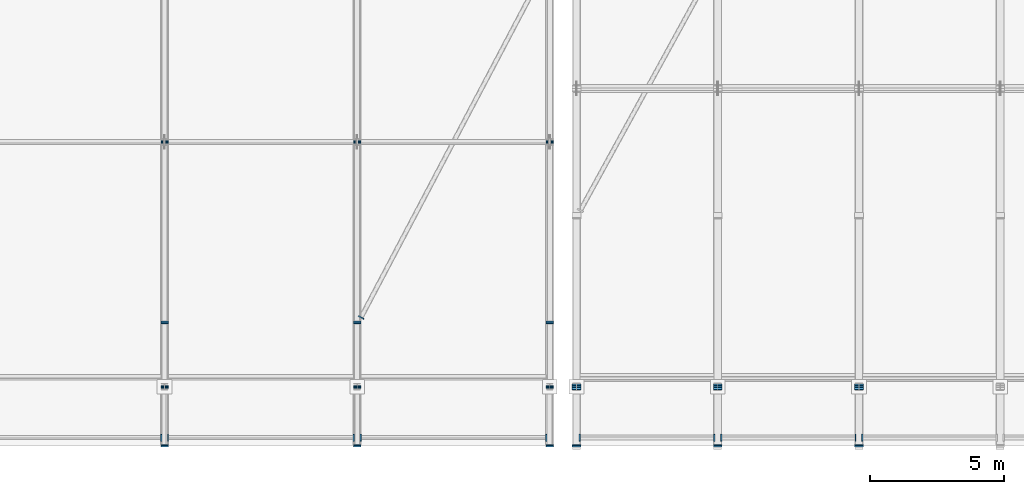
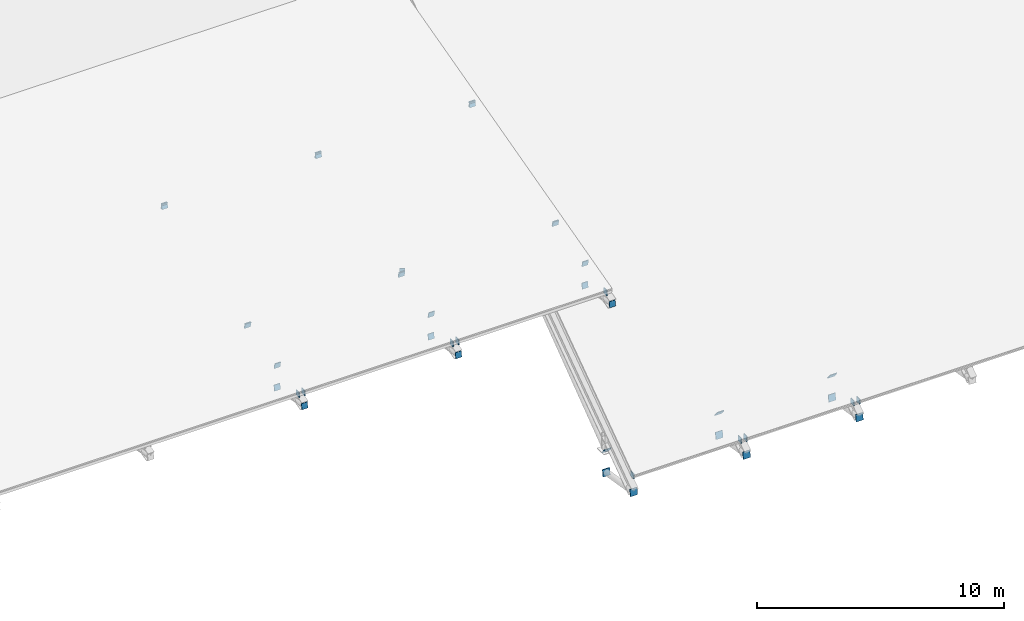
# One storey, part 45 of 57: 41 discrete accessories.
"""IFC4 building model written with IfcOpenShell, lengths in metres."""

from ifc_helpers import new_model, si_unit, direction, frame, origin, origin_2d, place, context, subcontext, project, spatial, rectangle, extrude, material, material_profile, profile_set, type_object, element, save


model = new_model("IFC4")

# Units and contexts
model_context = context("Model", 3, precision=1e-05, world=origin(), true_north=direction((0.0, 1.0)))
body_context = subcontext(model_context, "Body", "Model", "MODEL_VIEW")
ifc_project = project(units=[si_unit("LENGTHUNIT", "METRE"), si_unit("AREAUNIT", "SQUARE_METRE"), si_unit("VOLUMEUNIT", "CUBIC_METRE"), si_unit("PLANEANGLEUNIT", "RADIAN"), si_unit("MASSUNIT", "GRAM", prefix="KILO")], contexts=[model_context])

# Site, building, storey
site_placement = place(None, origin())
site = spatial("IfcSite", under=ifc_project, at=site_placement, CompositionType="ELEMENT")
building_placement = place(site_placement, origin())
building = spatial("IfcBuilding", under=site, at=building_placement, Name="Kelarvand Opera House", CompositionType="ELEMENT")
storey_placement = place(building_placement, frame((0.0, 0.0, 33.60009765625)))
storey = spatial("IfcBuildingStorey", under=building, at=storey_placement, Name="Roof", CompositionType="ELEMENT", Elevation=33.60009765625)

# Discrete accessories
ifc_material = material(Name="Steel S355", Category="steel")
ifc_material_profile_1 = material_profile(ifc_material, rectangle(XDim=0.22802734375, YDim=0.22802734375, at=origin_2d()), Name="Welded Steel Hollow End-Cap Plate 228x228x24", Category="steel")
ifc_profile_set_1 = profile_set([ifc_material_profile_1], Name="Steel S355")
discrete_accessory_type_1 = type_object("IfcDiscreteAccessoryType", Name="Welded Steel Hollow End-Cap Plate 228x228x24", PredefinedType="SHOE", material=ifc_profile_set_1)
discrete_accessory_1_placement = place(storey_placement, frame((80.95361328125, 49.20703125, 0.52001953125), z_axis=(-0.4634975267, -0.886098212809, 0.0), x_axis=(0.886098212809, -0.4634975267, 0.0)))
element("IfcDiscreteAccessory", 1, at=discrete_accessory_1_placement, inside=storey, type_object=discrete_accessory_type_1, Name="Hollow Section Welded End Cap 537", PredefinedType="SHOE", context=body_context, shape_type="SweptSolid", body=[
    extrude(rectangle(XDim=0.22802734375, YDim=0.22802734375, at=origin_2d()), origin(), (0.0, 0.0, 1.0), 0.035888671875),
])
ifc_material_profile_2 = material_profile(ifc_material, rectangle(XDim=0.260009765625, YDim=0.260009765625, at=origin_2d()), Name="Welded Steel Hollow End-Cap Plate 260x260x24", Category="steel")
ifc_profile_set_2 = profile_set([ifc_material_profile_2], Name="Steel S355")
discrete_accessory_type_2 = type_object("IfcDiscreteAccessoryType", Name="Welded Steel Hollow End-Cap Plate 260x260x24", PredefinedType="SHOE", material=ifc_profile_set_2)
for number, where, z_axis, x_axis, name in (
    (2, (89.14794921875, 44.699951171875, -9.721923828125), (-1.0, 0.0, 0.0), (0.0, -1.0, 0.0), "Hollow Section Welded End Cap 389"),
    (3, (94.132080078125, 44.699951171875, -9.721923828125), (1.0, 0.0, 0.0), (0.0, 1.0, 0.0), "Hollow Section Welded End Cap 390"),
    (4, (94.427978515625, 44.699951171875, -9.721923828125), (-1.0, 0.0, 0.0), (0.0, -1.0, 0.0), "Hollow Section Welded End Cap 397"),
    (5, (99.412109375, 44.699951171875, -9.721923828125), (1.0, 0.0, 0.0), (0.0, 1.0, 0.0), "Hollow Section Welded End Cap 398"),
    (6, (99.7080078125, 44.699951171875, -9.721923828125), (-1.0, 0.0, 0.0), (0.0, -1.0, 0.0), "Hollow Section Welded End Cap 401"),
):
    element("IfcDiscreteAccessory", number, at=place(storey_placement, frame(where, z_axis=z_axis, x_axis=x_axis)), inside=storey, type_object=discrete_accessory_type_2, Name=name, PredefinedType="SHOE", context=body_context, shape_type="SweptSolid", body=[
        extrude(rectangle(XDim=0.260009765625, YDim=0.260009765625, at=origin_2d()), origin(), (0.0, 0.0, 1.0), 0.035888671875),
    ])
for number, where, z_axis, x_axis, name in (
    (7, (73.451904296875, 44.699951171875, -0.21923828125), (1.0, 0.0, 0.0), (0.0, 1.0, 0.0), "Hollow Section Welded End Cap 526"),
    (8, (73.748046875, 44.699951171875, -0.21923828125), (-1.0, 0.0, 0.0), (0.0, -1.0, 0.0), "Hollow Section Welded End Cap 529"),
):
    element("IfcDiscreteAccessory", number, at=place(storey_placement, frame(where, z_axis=z_axis, x_axis=x_axis)), inside=storey, type_object=discrete_accessory_type_2, Name=name, PredefinedType="SHOE", context=body_context, shape_type="SweptSolid", body=[
        extrude(rectangle(XDim=0.260009765625, YDim=0.260009765625, at=origin_2d()), origin(), (0.0, 0.0, 1.0), 0.0361328125),
    ])
for number, where, z_axis, x_axis, name in (
    (9, (80.652099609375, 44.699951171875, -0.21923828125), (1.0, 0.0, 0.0), (0.0, 1.0, 0.0), "Hollow Section Welded End Cap 530"),
    (10, (80.947998046875, 44.699951171875, -0.21923828125), (-1.0, 0.0, 0.0), (0.0, -1.0, 0.0), "Hollow Section Welded End Cap 533"),
    (11, (87.85205078125, 44.699951171875, -0.21923828125), (1.0, 0.0, 0.0), (0.0, 1.0, 0.0), "Hollow Section Welded End Cap 534"),
):
    element("IfcDiscreteAccessory", number, at=place(storey_placement, frame(where, z_axis=z_axis, x_axis=x_axis)), inside=storey, type_object=discrete_accessory_type_2, Name=name, PredefinedType="SHOE", context=body_context, shape_type="SweptSolid", body=[
        extrude(rectangle(XDim=0.260009765625, YDim=0.260009765625, at=origin_2d()), origin(), (0.0, 0.0, 1.0), 0.035888671875),
    ])
ifc_material_profile_3 = material_profile(ifc_material, rectangle(XDim=0.279052734375, YDim=0.279052734375, at=origin_2d()), Name="Welded Steel Hollow End-Cap Plate 279x279x24", Category="steel")
ifc_profile_set_3 = profile_set([ifc_material_profile_3], Name="Steel S355")
discrete_accessory_type_3 = type_object("IfcDiscreteAccessoryType", Name="Welded Steel Hollow End-Cap Plate 279x279x24", PredefinedType="SHOE", material=ifc_profile_set_3)
for number, where, z_axis, x_axis, name in (
    (12, (73.60009765625, 46.592041015625, -1.0986328125), (0.0, 0.981861262275, -0.189600795474), (-1.0, 0.0, 0.0), "Hollow Section Welded End Cap 469"),
    (13, (73.60009765625, 44.407958984375, -0.677001953125), (0.0, -0.981861262275, 0.189600795474), (1.0, 0.0, 0.0), "Hollow Section Welded End Cap 470"),
    (14, (73.60009765625, 46.60791015625, 0.001708984375), (0.0, -0.976502936242, -0.215504096274), (1.0, 0.0, 0.0), "Hollow Section Welded End Cap 473"),
):
    element("IfcDiscreteAccessory", number, at=place(storey_placement, frame(where, z_axis=z_axis, x_axis=x_axis)), inside=storey, type_object=discrete_accessory_type_3, Name=name, PredefinedType="SHOE", context=body_context, shape_type="SweptSolid", body=[
        extrude(rectangle(XDim=0.279052734375, YDim=0.279052734375, at=origin_2d()), origin(), (0.0, 0.0, 1.0), 0.0361328125),
    ])
discrete_accessory_2_placement = place(storey_placement, frame((73.60009765625, 48.9921875, 0.518310546875), z_axis=(0.0, 0.977603274554, 0.210456260494), x_axis=(-1.0, 0.0, 0.0)))
element("IfcDiscreteAccessory", 15, at=discrete_accessory_2_placement, inside=storey, type_object=discrete_accessory_type_3, Name="Hollow Section Welded End Cap 474", PredefinedType="SHOE", context=body_context, shape_type="SweptSolid", body=[
    extrude(rectangle(XDim=0.279052734375, YDim=0.279052734375, at=origin_2d()), origin(), (0.0, 0.0, 1.0), 0.035888671875),
])
for number, where, z_axis, x_axis, name in (
    (16, (73.60009765625, 49.0078125, 0.52197265625), (0.0, -0.966458920361, -0.256821251564), (1.0, 0.0, 0.0), "Hollow Section Welded End Cap 477"),
    (17, (73.60009765625, 55.7421875, 2.33251953125), (0.0, 0.966458920361, 0.256821251564), (-1.0, 0.0, 0.0), "Hollow Section Welded End Cap 478"),
    (18, (73.60009765625, 55.7578125, 2.33251953125), (0.0, -0.966458920361, 0.256821251564), (1.0, 0.0, 0.0), "Hollow Section Welded End Cap 479"),
    (19, (80.800048828125, 46.592041015625, -1.0986328125), (0.0, 0.981861262275, -0.189600795474), (-1.0, 0.0, 0.0), "Hollow Section Welded End Cap 485"),
    (20, (80.800048828125, 44.407958984375, -0.677001953125), (0.0, -0.981861262275, 0.189600795474), (1.0, 0.0, 0.0), "Hollow Section Welded End Cap 486"),
    (21, (80.800048828125, 46.60791015625, 0.001708984375), (0.0, -0.976502936242, -0.215504096274), (1.0, 0.0, 0.0), "Hollow Section Welded End Cap 489"),
):
    element("IfcDiscreteAccessory", number, at=place(storey_placement, frame(where, z_axis=z_axis, x_axis=x_axis)), inside=storey, type_object=discrete_accessory_type_3, Name=name, PredefinedType="SHOE", context=body_context, shape_type="SweptSolid", body=[
        extrude(rectangle(XDim=0.279052734375, YDim=0.279052734375, at=origin_2d()), origin(), (0.0, 0.0, 1.0), 0.0361328125),
    ])
discrete_accessory_3_placement = place(storey_placement, frame((80.800048828125, 48.9921875, 0.518310546875), z_axis=(0.0, 0.977603274554, 0.210456260494), x_axis=(-1.0, 0.0, 0.0)))
element("IfcDiscreteAccessory", 22, at=discrete_accessory_3_placement, inside=storey, type_object=discrete_accessory_type_3, Name="Hollow Section Welded End Cap 490", PredefinedType="SHOE", context=body_context, shape_type="SweptSolid", body=[
    extrude(rectangle(XDim=0.279052734375, YDim=0.279052734375, at=origin_2d()), origin(), (0.0, 0.0, 1.0), 0.035888671875),
])
for number, where, z_axis, x_axis, name in (
    (23, (80.800048828125, 49.0078125, 0.52197265625), (0.0, -0.966458920361, -0.256821251564), (1.0, 0.0, 0.0), "Hollow Section Welded End Cap 493"),
    (24, (80.800048828125, 55.7421875, 2.33251953125), (0.0, 0.966458920361, 0.256821251564), (-1.0, 0.0, 0.0), "Hollow Section Welded End Cap 494"),
    (25, (80.800048828125, 55.7578125, 2.33251953125), (0.0, -0.966458920361, 0.256821251564), (1.0, 0.0, 0.0), "Hollow Section Welded End Cap 495"),
    (26, (88.0, 46.592041015625, -1.0986328125), (0.0, 0.981861262275, -0.189600795474), (-1.0, 0.0, 0.0), "Hollow Section Welded End Cap 501"),
    (27, (88.0, 44.407958984375, -0.677001953125), (0.0, -0.981861262275, 0.189600795474), (1.0, 0.0, 0.0), "Hollow Section Welded End Cap 502"),
    (28, (88.0, 46.60791015625, 0.001708984375), (0.0, -0.976502936242, -0.215504096274), (1.0, 0.0, 0.0), "Hollow Section Welded End Cap 505"),
):
    element("IfcDiscreteAccessory", number, at=place(storey_placement, frame(where, z_axis=z_axis, x_axis=x_axis)), inside=storey, type_object=discrete_accessory_type_3, Name=name, PredefinedType="SHOE", context=body_context, shape_type="SweptSolid", body=[
        extrude(rectangle(XDim=0.279052734375, YDim=0.279052734375, at=origin_2d()), origin(), (0.0, 0.0, 1.0), 0.0361328125),
    ])
discrete_accessory_4_placement = place(storey_placement, frame((88.0, 48.9921875, 0.518310546875), z_axis=(0.0, 0.977603274554, 0.210456260494), x_axis=(-1.0, 0.0, 0.0)))
element("IfcDiscreteAccessory", 29, at=discrete_accessory_4_placement, inside=storey, type_object=discrete_accessory_type_3, Name="Hollow Section Welded End Cap 506", PredefinedType="SHOE", context=body_context, shape_type="SweptSolid", body=[
    extrude(rectangle(XDim=0.279052734375, YDim=0.279052734375, at=origin_2d()), origin(), (0.0, 0.0, 1.0), 0.035888671875),
])
for number, where, z_axis, x_axis, name in (
    (30, (88.0, 49.0078125, 0.52197265625), (0.0, -0.966458920361, -0.256821251564), (1.0, 0.0, 0.0), "Hollow Section Welded End Cap 509"),
    (31, (88.0, 55.7421875, 2.33251953125), (0.0, 0.966458920361, 0.256821251564), (-1.0, 0.0, 0.0), "Hollow Section Welded End Cap 510"),
    (32, (88.0, 55.7578125, 2.33251953125), (0.0, -0.966458920361, 0.256821251564), (1.0, 0.0, 0.0), "Hollow Section Welded End Cap 511"),
):
    element("IfcDiscreteAccessory", number, at=place(storey_placement, frame(where, z_axis=z_axis, x_axis=x_axis)), inside=storey, type_object=discrete_accessory_type_3, Name=name, PredefinedType="SHOE", context=body_context, shape_type="SweptSolid", body=[
        extrude(rectangle(XDim=0.279052734375, YDim=0.279052734375, at=origin_2d()), origin(), (0.0, 0.0, 1.0), 0.0361328125),
    ])
ifc_material_profile_4 = material_profile(ifc_material, rectangle(XDim=0.3330078125, YDim=0.3330078125, at=origin_2d()), Name="Welded Steel Hollow End-Cap Plate 333x333x24", Category="steel")
ifc_profile_set_4 = profile_set([ifc_material_profile_4], Name="Steel S355")
discrete_accessory_type_4 = type_object("IfcDiscreteAccessoryType", Name="Welded Steel Hollow End-Cap Plate 333x333x24", PredefinedType="SHOE", material=ifc_profile_set_4)
for number, where, z_axis, x_axis, name in (
    (33, (89.0, 46.592041015625, -10.69873046875), (0.0, 0.986756818481, -0.162206600298), (-1.0, 0.0, 0.0), "Hollow Section Welded End Cap 213"),
    (34, (89.0, 44.407958984375, -10.33349609375), (0.0, -0.986756818481, 0.162206600298), (1.0, 0.0, 0.0), "Hollow Section Welded End Cap 214"),
    (35, (89.0, 46.6064453125, -9.59521484375), (0.0, -0.798373260242, -0.602162882725), (1.0, 0.0, 0.0), "Hollow Section Welded End Cap 217"),
    (36, (94.280029296875, 46.592041015625, -10.69873046875), (0.0, 0.986756818481, -0.162206600298), (-1.0, 0.0, 0.0), "Hollow Section Welded End Cap 229"),
    (37, (94.280029296875, 44.407958984375, -10.33349609375), (0.0, -0.986756818481, 0.162206600298), (1.0, 0.0, 0.0), "Hollow Section Welded End Cap 230"),
    (38, (94.280029296875, 46.6064453125, -9.59521484375), (0.0, -0.798373260242, -0.602162882725), (1.0, 0.0, 0.0), "Hollow Section Welded End Cap 233"),
    (39, (99.56005859375, 46.592041015625, -10.69873046875), (0.0, 0.986756818481, -0.162206600298), (-1.0, 0.0, 0.0), "Hollow Section Welded End Cap 245"),
    (40, (99.56005859375, 44.407958984375, -10.33349609375), (0.0, -0.986756818481, 0.162206600298), (1.0, 0.0, 0.0), "Hollow Section Welded End Cap 246"),
    (41, (99.56005859375, 46.6064453125, -9.59521484375), (0.0, -0.798373260242, -0.602162882725), (1.0, 0.0, 0.0), "Hollow Section Welded End Cap 249"),
):
    element("IfcDiscreteAccessory", number, at=place(storey_placement, frame(where, z_axis=z_axis, x_axis=x_axis)), inside=storey, type_object=discrete_accessory_type_4, Name=name, PredefinedType="SHOE", context=body_context, shape_type="SweptSolid", body=[
        extrude(rectangle(XDim=0.3330078125, YDim=0.3330078125, at=origin_2d()), origin(), (0.0, 0.0, 1.0), 0.0361328125),
    ])

save(model, "model.ifc")
